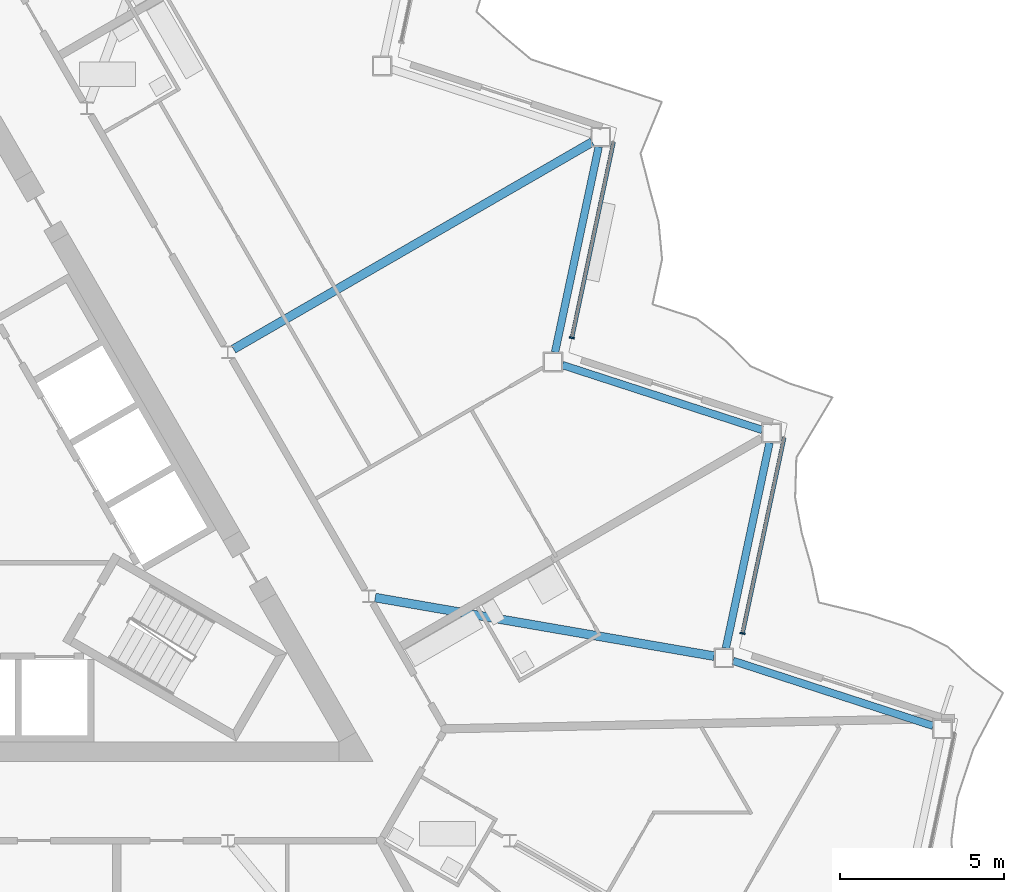
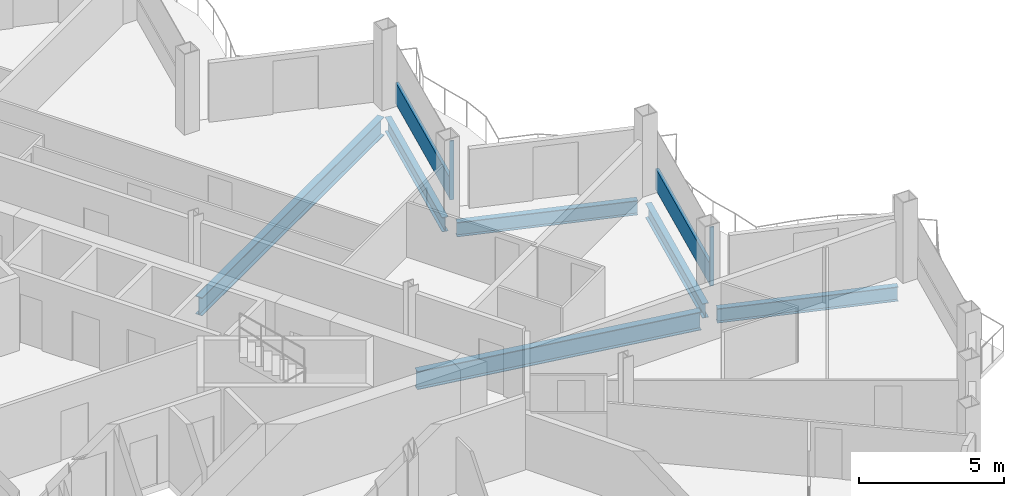
# One storey, part 9 of 27: 6 beams, 4 members, 2 elements without a shape of their own.
"""IFC4 building model written with IfcOpenShell, lengths in metres."""

from ifc_helpers import new_model, si_unit, direction, frame, origin, origin_2d, place, context, subcontext, project, spatial, rectangle, i_section, extrude, material, layer, layer_set, material_profile, profile_set, type_object, element, aggregate, save


model = new_model("IFC4")

# Units and contexts
model_context = context("Model", 3, precision=1e-05, world=origin(), true_north=direction((0.0, 1.0)))
body_context = subcontext(model_context, "Body", "Model", "MODEL_VIEW")
ifc_project = project(units=[si_unit("LENGTHUNIT", "METRE"), si_unit("AREAUNIT", "SQUARE_METRE"), si_unit("VOLUMEUNIT", "CUBIC_METRE"), si_unit("PLANEANGLEUNIT", "RADIAN"), si_unit("MASSUNIT", "GRAM", prefix="KILO")], contexts=[model_context])

# Site, building, storey
site_placement = place(None, origin())
site = spatial("IfcSite", under=ifc_project, at=site_placement, CompositionType="ELEMENT")
building_placement = place(site_placement, origin())
building = spatial("IfcBuilding", under=site, at=building_placement, Name="Cormorant Prow Tower", CompositionType="ELEMENT")
storey_placement = place(building_placement, frame((0.0, 0.0, 315.39990234375)))
storey = spatial("IfcBuildingStorey", under=building, at=storey_placement, Name="L69", CompositionType="ELEMENT", Elevation=315.39990234375)

# Beams
ifc_material_1 = material(Name="Structural steel ASTM A992 Gr 50", Category="steel")
ifc_material_profile_1 = material_profile(ifc_material_1, i_section(OverallWidth=0.267822265625, OverallDepth=0.77001953125, WebThickness=0.015625, FlangeThickness=0.025390625, at=origin_2d()), Name="W30x132")
ifc_profile_set_1 = profile_set([ifc_material_profile_1], Name="Structural steel ASTM A992 Gr 50")
beam_type_1 = type_object("IfcBeamType", Name="Radial floor beam W30x132", PredefinedType="BEAM", material=ifc_profile_set_1)
beam_1_placement = place(storey_placement, frame((13.0625, -2.510009765625, -0.684814453125), z_axis=(0.985379592304, -0.170373293304, 0.0), x_axis=(0.170373293304, 0.985379592304, 0.0)))
element("IfcBeam", 1, at=beam_1_placement, inside=storey, type_object=beam_type_1, Name="Radial floor beam FB3 10 L69", PredefinedType="BEAM", context=body_context, shape_type="SweptSolid", body=[
    extrude(i_section(OverallWidth=0.267822265625, OverallDepth=0.77001953125, WebThickness=0.015625, FlangeThickness=0.025390625, at=origin_2d()), origin(), (0.0, 0.0, 1.0), 10.465087890625),
])
beam_2_placement = place(storey_placement, frame((8.749755859375, 5.051513671875, -0.684814453125), z_axis=(0.866021086443, 0.50000747778, 0.0), x_axis=(-0.50000747778, 0.866021086443, 0.0)))
element("IfcBeam", 2, at=beam_2_placement, inside=storey, type_object=beam_type_1, Name="Radial floor beam FB3 11 L69", PredefinedType="BEAM", context=body_context, shape_type="SweptSolid", body=[
    extrude(i_section(OverallWidth=0.267822265625, OverallDepth=0.77001953125, WebThickness=0.015625, FlangeThickness=0.025390625, at=origin_2d()), origin(), (0.0, 0.0, 1.0), 12.604736328125),
])

# Curtain wall, member
ifc_material_2 = material(Name="Aluminium 6063-T6", Category="aluminium")
ifc_layer = layer(ifc_material_2, 0.159912109375)
ifc_layer_set = layer_set([ifc_layer], Name="Aluminium 6063-T6")
curtain_wall_type = type_object("IfcCurtainWallType", Name="Residential unitised curtain wall 160", PredefinedType="NOTDEFINED", material=ifc_layer_set)
curtain_wall_1_placement = place(storey_placement, origin())
curtain_wall_1 = element("IfcCurtainWall", 3, at=curtain_wall_1_placement, inside=storey, type_object=curtain_wall_type, Name="Residential curtain wall ENE02", PredefinedType="NOTDEFINED")
ifc_material_3 = material(Name="Aluminium 6063-T6", Category="aluminium")
ifc_material_profile_2 = material_profile(ifc_material_3, rectangle(XDim=0.159912109375, YDim=0.050048828125, at=origin_2d()), Name="Residential mullion 50x160")
ifc_profile_set_2 = profile_set([ifc_material_profile_2], Name="Aluminium 6063-T6")
member_type_1 = type_object("IfcMemberType", Name="Residential mullion 50x160", PredefinedType="MULLION", material=ifc_profile_set_2)
member_1_placement = place(storey_placement, frame((24.240966796875, -3.59912109375, 0.0), z_axis=(0.0, 0.0, 1.0), x_axis=(-0.978147586048, 0.207911759908, 0.0)))
member_1 = element("IfcMember", 4, at=member_1_placement, type_object=member_type_1, Name="Residential mullion ENE02", PredefinedType="MULLION", context=body_context, shape_type="SweptSolid", body=[
    extrude(rectangle(XDim=0.159912109375, YDim=0.050048828125, at=origin_2d()), origin(), (0.0, 0.0, 1.0), 2.488037109375),
])

curtain_wall_2_placement = place(storey_placement, origin())
curtain_wall_2 = element("IfcCurtainWall", 5, at=curtain_wall_2_placement, inside=storey, type_object=curtain_wall_type, Name="Residential curtain wall ENE04", PredefinedType="NOTDEFINED")
member_2_placement = place(storey_placement, frame((19.048095703125, 5.39501953125, 0.0), z_axis=(0.0, 0.0, 1.0), x_axis=(-0.978147586048, 0.207911759908, 0.0)))
member_2 = element("IfcMember", 6, at=member_2_placement, type_object=member_type_1, Name="Residential mullion ENE04", PredefinedType="MULLION", context=body_context, shape_type="SweptSolid", body=[
    extrude(rectangle(XDim=0.159912109375, YDim=0.050048828125, at=origin_2d()), origin(), (0.0, 0.0, 1.0), 2.488037109375),
])

# Member
ifc_material_4 = material(Name="Terracotta", Category="masonry")
ifc_material_profile_3 = material_profile(ifc_material_4, rectangle(XDim=0.1201171875, YDim=0.89990234375, at=origin_2d()), Name="Residential terracotta spandrel rail 120x900")
ifc_profile_set_3 = profile_set([ifc_material_profile_3], Name="Terracotta")
member_type_2 = type_object("IfcMemberType", Name="Residential terracotta spandrel rail 120x900", PredefinedType="USERDEFINED", material=ifc_profile_set_3)
member_3_placement = place(storey_placement, frame((24.24609375, -3.57470703125, 0.4501953125), z_axis=(0.207913597079, 0.978147195544, 0.0), x_axis=(-0.978147195544, 0.207913597079, 0.0)))
member_3 = element("IfcMember", 7, at=member_3_placement, type_object=member_type_2, Name="Residential spandrel rail ENE02", ObjectType="TRANSOM", PredefinedType="USERDEFINED", context=body_context, shape_type="SweptSolid", body=[
    extrude(rectangle(XDim=0.1201171875, YDim=0.89990234375, at=origin_2d()), origin(), (0.0, 0.0, 1.0), 6.069580078125),
])

aggregate(curtain_wall_1, [member_1, member_3])

member_4_placement = place(storey_placement, frame((19.05322265625, 5.419677734375, 0.4501953125), z_axis=(0.207913597079, 0.978147195544, 0.0), x_axis=(-0.978147195544, 0.207913597079, 0.0)))
member_4 = element("IfcMember", 8, at=member_4_placement, type_object=member_type_2, Name="Residential spandrel rail ENE04", ObjectType="TRANSOM", PredefinedType="USERDEFINED", context=body_context, shape_type="SweptSolid", body=[
    extrude(rectangle(XDim=0.1201171875, YDim=0.89990234375, at=origin_2d()), origin(), (0.0, 0.0, 1.0), 6.069580078125),
])

aggregate(curtain_wall_2, [member_2, member_4])

# Beams
ifc_material_5 = material(Name="Structural steel ASTM A992 Gr 50", Category="steel")
ifc_material_profile_4 = material_profile(ifc_material_5, i_section(OverallWidth=0.22900390625, OverallDepth=0.612060546875, WebThickness=0.011962890625, FlangeThickness=0.01953125, at=origin_2d()), Name="W24x84")
ifc_profile_set_4 = profile_set([ifc_material_profile_4], Name="Structural steel ASTM A992 Gr 50")
beam_type_2 = type_object("IfcBeamType", Name="Spandrel beam W24x84", PredefinedType="SPANDREL", material=ifc_profile_set_4)
beam_3_placement = place(storey_placement, frame((30.038330078125, -6.413330078125, -0.60595703125), z_axis=(-0.951064359156, 0.308992855489, 0.0), x_axis=(-0.308992855489, -0.951064359156, 0.0)))
element("IfcBeam", 9, at=beam_3_placement, inside=storey, type_object=beam_type_2, Name="Spandrel beam SB3 ENE01-ENE02 L69", PredefinedType="SPANDREL", context=body_context, shape_type="SweptSolid", body=[
    extrude(i_section(OverallWidth=0.22900390625, OverallDepth=0.612060546875, WebThickness=0.011962890625, FlangeThickness=0.01953125, at=origin_2d()), origin(), (0.0, 0.0, 1.0), 6.39599609375),
])
beam_4_placement = place(storey_placement, frame((23.732421875, -4.05078125, -0.60595703125), z_axis=(0.20791262393, 0.978147402394, 0.0), x_axis=(-0.978147402394, 0.20791262393, 0.0)))
element("IfcBeam", 10, at=beam_4_placement, inside=storey, type_object=beam_type_2, Name="Spandrel beam SB3 ENE02-ENE03 L69", PredefinedType="SPANDREL", context=body_context, shape_type="SweptSolid", body=[
    extrude(i_section(OverallWidth=0.22900390625, OverallDepth=0.612060546875, WebThickness=0.011962890625, FlangeThickness=0.01953125, at=origin_2d()), origin(), (0.0, 0.0, 1.0), 6.396240234375),
])
beam_5_placement = place(storey_placement, frame((24.83935546875, 2.591796875, -0.60595703125), z_axis=(-0.951064359156, 0.308992855489, 0.0), x_axis=(-0.308992855489, -0.951064359156, 0.0)))
element("IfcBeam", 11, at=beam_5_placement, inside=storey, type_object=beam_type_2, Name="Spandrel beam SB3 ENE03-ENE04 L69", PredefinedType="SPANDREL", context=body_context, shape_type="SweptSolid", body=[
    extrude(i_section(OverallWidth=0.22900390625, OverallDepth=0.612060546875, WebThickness=0.011962890625, FlangeThickness=0.01953125, at=origin_2d()), origin(), (0.0, 0.0, 1.0), 6.39599609375),
])
beam_6_placement = place(storey_placement, frame((18.533447265625, 4.954345703125, -0.60595703125), z_axis=(0.20791262393, 0.978147402394, 0.0), x_axis=(-0.978147402394, 0.20791262393, 0.0)))
element("IfcBeam", 12, at=beam_6_placement, inside=storey, type_object=beam_type_2, Name="Spandrel beam SB3 ENE04-ENE05 L69", PredefinedType="SPANDREL", context=body_context, shape_type="SweptSolid", body=[
    extrude(i_section(OverallWidth=0.22900390625, OverallDepth=0.612060546875, WebThickness=0.011962890625, FlangeThickness=0.01953125, at=origin_2d()), origin(), (0.0, 0.0, 1.0), 6.396240234375),
])

save(model, "model.ifc")
